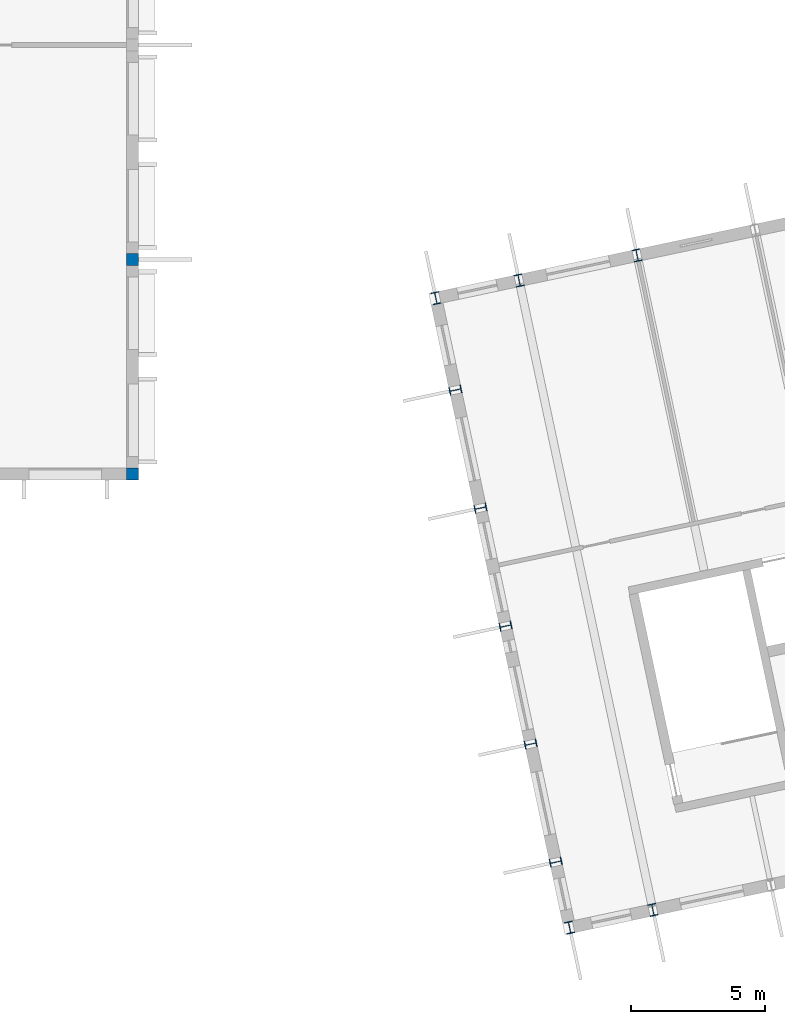
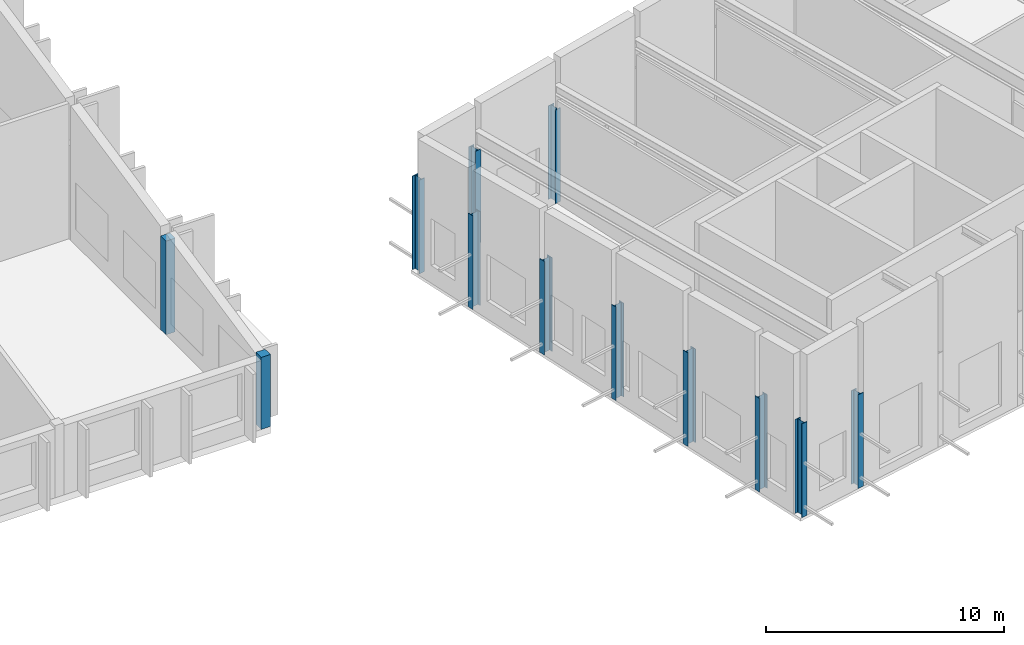
# One storey, part 2 of 69: 12 columns.
"""IFC4 building model written with IfcOpenShell, lengths in metres."""

from ifc_helpers import new_model, si_unit, direction, frame, origin, origin_2d, place, context, subcontext, project, spatial, rectangle, i_section, extrude, material, material_profile, profile_set, type_object, element, save


model = new_model("IFC4")

# Units and contexts
model_context = context("Model", 3, precision=1e-05, world=origin(), true_north=direction((0.0, 1.0)))
body_context = subcontext(model_context, "Body", "Model", "MODEL_VIEW")
ifc_project = project(units=[si_unit("LENGTHUNIT", "METRE"), si_unit("AREAUNIT", "SQUARE_METRE"), si_unit("VOLUMEUNIT", "CUBIC_METRE"), si_unit("PLANEANGLEUNIT", "RADIAN"), si_unit("MASSUNIT", "GRAM", prefix="KILO")], contexts=[model_context])

# Site, building, storey
site_placement = place(None, origin())
site = spatial("IfcSite", under=ifc_project, at=site_placement, CompositionType="ELEMENT")
building_placement = place(site_placement, origin())
building = spatial("IfcBuilding", under=site, at=building_placement, Name="Okhra Congress Centre", CompositionType="ELEMENT")
storey_placement = place(building_placement, frame((0.0, 0.0, 16.800048828125)))
storey = spatial("IfcBuildingStorey", under=building, at=storey_placement, Name="L03", CompositionType="ELEMENT", Elevation=16.800048828125)

# Columns
ifc_material_1 = material(Name="Concrete C35/45", Category="concrete")
ifc_material_profile_1 = material_profile(ifc_material_1, rectangle(XDim=0.449951171875, YDim=0.449951171875, at=origin_2d()), Name="RC 450x450")
ifc_profile_set_1 = profile_set([ifc_material_profile_1], Name="Concrete C35/45")
column_type_1 = type_object("IfcColumnType", Name="RC column 450x450 C35/45", PredefinedType="COLUMN", material=ifc_profile_set_1)
column_1_placement = place(storey_placement, frame((46.0, 44.0, 0.0), z_axis=(0.0, 0.0, 1.0), x_axis=(1.0, 0.0, 0.0)))
element("IfcColumn", 1, at=column_1_placement, inside=storey, type_object=column_type_1, Name="RS.COL.L03.25", PredefinedType="COLUMN", context=body_context, shape_type="SweptSolid", body=[
    extrude(rectangle(XDim=0.449951171875, YDim=0.449951171875, at=origin_2d()), origin(), (0.0, 0.0, 1.0), 3.691162109375),
])
column_2_placement = place(storey_placement, frame((46.0, 52.0, 0.0), z_axis=(0.0, 0.0, 1.0), x_axis=(1.0, 0.0, 0.0)))
element("IfcColumn", 2, at=column_2_placement, inside=storey, type_object=column_type_1, Name="RS.COL.L03.26", PredefinedType="COLUMN", context=body_context, shape_type="SweptSolid", body=[
    extrude(rectangle(XDim=0.449951171875, YDim=0.449951171875, at=origin_2d()), origin(), (0.0, 0.0, 1.0), 4.800048828125),
])
ifc_material_2 = material(Name="Steel S355J2", Category="steel")
ifc_material_profile_2 = material_profile(ifc_material_2, i_section(OverallWidth=0.300048828125, OverallDepth=0.449951171875, WebThickness=0.013916015625, FlangeThickness=0.02587890625, FilletRadius=0.027099609375, at=origin_2d()), Name="HE 450 B")
ifc_profile_set_2 = profile_set([ifc_material_profile_2], Name="Steel S355J2")
column_type_2 = type_object("IfcColumnType", Name="Steel post HE 450 B", PredefinedType="COLUMN", material=ifc_profile_set_2)
for number, where, z_axis, x_axis, name in (
    (3, (62.30712890625, 27.084716796875, 0.0), (0.0, 0.0, 1.0), (0.978147600734, 0.207911690818, 0.0), "Post S1"),
    (4, (65.41259765625, 27.744873046875, 0.0), (0.0, 0.0, 1.0), (0.978147600734, 0.207911690818, 0.0), "Post S2"),
    (5, (57.317138671875, 50.560302734375, 0.0), (0.0, 0.0, 1.0), (0.978147600734, 0.207911690818, 0.0), "Post N1"),
    (6, (60.4228515625, 51.220458984375, 0.0), (0.0, 0.0, 1.0), (0.978147600734, 0.207911690818, 0.0), "Post N2"),
    (7, (64.824462890625, 52.156005859375, 0.0), (0.0, 0.0, 1.0), (0.978147600734, 0.207911690818, 0.0), "Post N3"),
    (8, (61.788330078125, 29.525146484375, 0.0), (0.0, 0.0, 1.0), (-0.207911690818, 0.978147600734, 0.0), "Post W1"),
    (9, (60.852783203125, 33.9267578125, 0.0), (0.0, 0.0, 1.0), (-0.207911690818, 0.978147600734, 0.0), "Post W2"),
    (10, (59.9169921875, 38.32861328125, 0.0), (0.0, 0.0, 1.0), (-0.207911690818, 0.978147600734, 0.0), "Post W3"),
    (11, (58.9814453125, 42.730224609375, 0.0), (0.0, 0.0, 1.0), (-0.207911690818, 0.978147600734, 0.0), "Post W4"),
    (12, (58.0458984375, 47.1318359375, 0.0), (0.0, 0.0, 1.0), (-0.207911690818, 0.978147600734, 0.0), "Post W5"),
):
    element("IfcColumn", number, at=place(storey_placement, frame(where, z_axis=z_axis, x_axis=x_axis)), inside=storey, type_object=column_type_2, Name=name, PredefinedType="COLUMN", context=body_context, shape_type="SweptSolid", body=[
        extrude(i_section(OverallWidth=0.300048828125, OverallDepth=0.449951171875, WebThickness=0.013916015625, FlangeThickness=0.02587890625, FilletRadius=0.027099609375, at=origin_2d()), origin(), (0.0, 0.0, 1.0), 4.800048828125),
    ])

save(model, "model.ifc")
